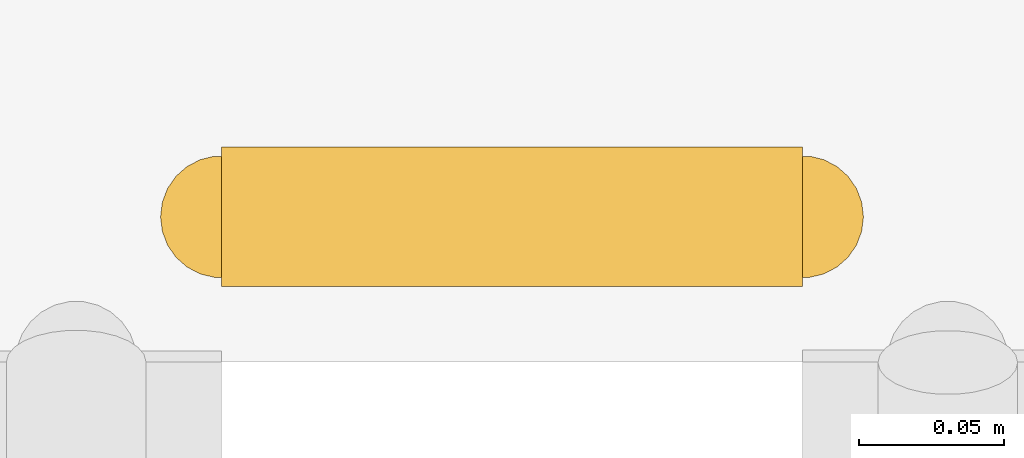
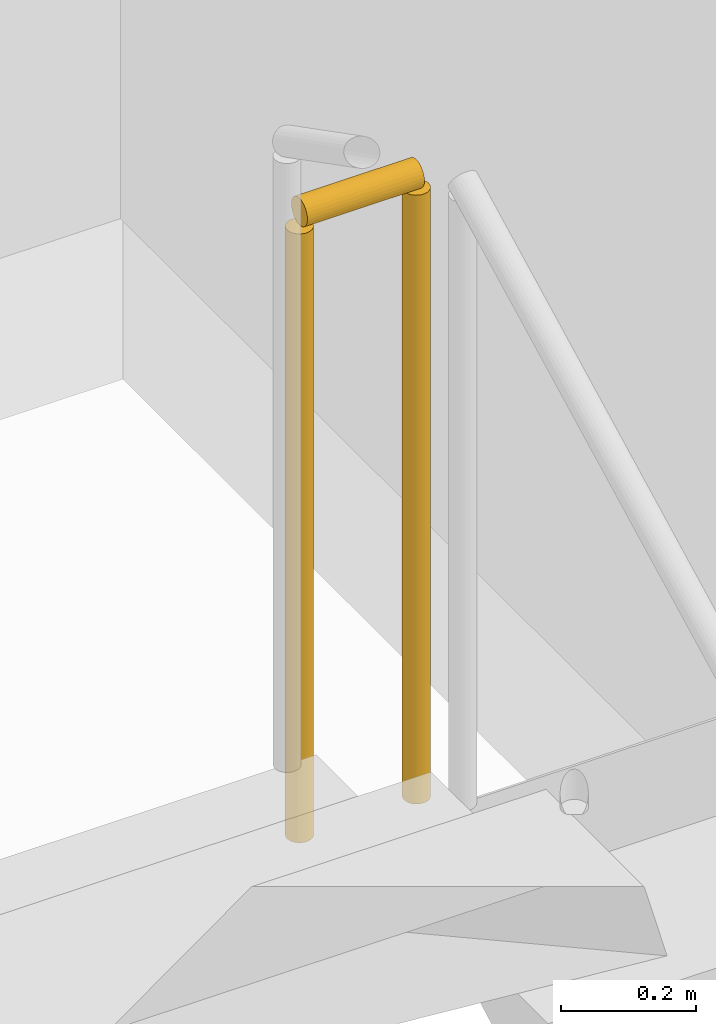
# One storey, part 38 of 39: 1 railing.
"""IFC4 building model written with IfcOpenShell, lengths in metres."""

from ifc_helpers import new_model, si_unit, direction, frame, origin, origin_2d, place, context, subcontext, project, spatial, circle, extrude, material, type_object, element, save


model = new_model("IFC4")

# Units and contexts
model_context = context("Model", 3, precision=1e-05, world=origin(), true_north=direction((0.0, 1.0)))
body_context = subcontext(model_context, "Body", "Model", "MODEL_VIEW")
ifc_project = project(units=[si_unit("LENGTHUNIT", "METRE"), si_unit("AREAUNIT", "SQUARE_METRE"), si_unit("VOLUMEUNIT", "CUBIC_METRE"), si_unit("PLANEANGLEUNIT", "RADIAN"), si_unit("MASSUNIT", "GRAM", prefix="KILO")], contexts=[model_context])

# Site, building, storey
site_placement = place(None, origin())
site = spatial("IfcSite", under=ifc_project, at=site_placement, CompositionType="ELEMENT")
building_placement = place(site_placement, origin())
building = spatial("IfcBuilding", under=site, at=building_placement, Name="Nahalor Promenade Grand Hotel", CompositionType="ELEMENT")
storey_placement = place(building_placement, frame((0.0, 0.0, 311.89990234375)))
storey = spatial("IfcBuildingStorey", under=building, at=storey_placement, Name="L80", CompositionType="ELEMENT", Elevation=311.89990234375)

# Railing
ifc_material = material(Name="Steel S355JR", Category="steel")
railing_type = type_object("IfcRailingType", Name="Steel Stair Guardrail 1150 mm", PredefinedType="GUARDRAIL", material=ifc_material)
railing_placement = place(storey_placement, frame((5.699951171875, 11.550048828125, 1.925048828125)))
element("IfcRailing", 1, at=railing_placement, inside=storey, type_object=railing_type, Name="L80 ST1 stair guard 2", PredefinedType="GUARDRAIL", context=body_context, shape_type="SweptSolid", body=[
    extrude(circle(Radius=0.024048, at=origin_2d()), frame((0.0, 0.0, 1.1259765625), z_axis=(-1.0, 0.0, 0.0), x_axis=(0.0, -1.0, 0.0)), (0.0, 0.0, 1.0), 0.199951171875),
    extrude(circle(Radius=0.020996, at=origin_2d()), origin(), (0.0, 0.0, 1.0), 1.099853515625),
    extrude(circle(Radius=0.020996, at=origin_2d()), frame((-0.199951171875, 0.0, 0.0)), (0.0, 0.0, 1.0), 1.099853515625),
])

save(model, "model.ifc")
